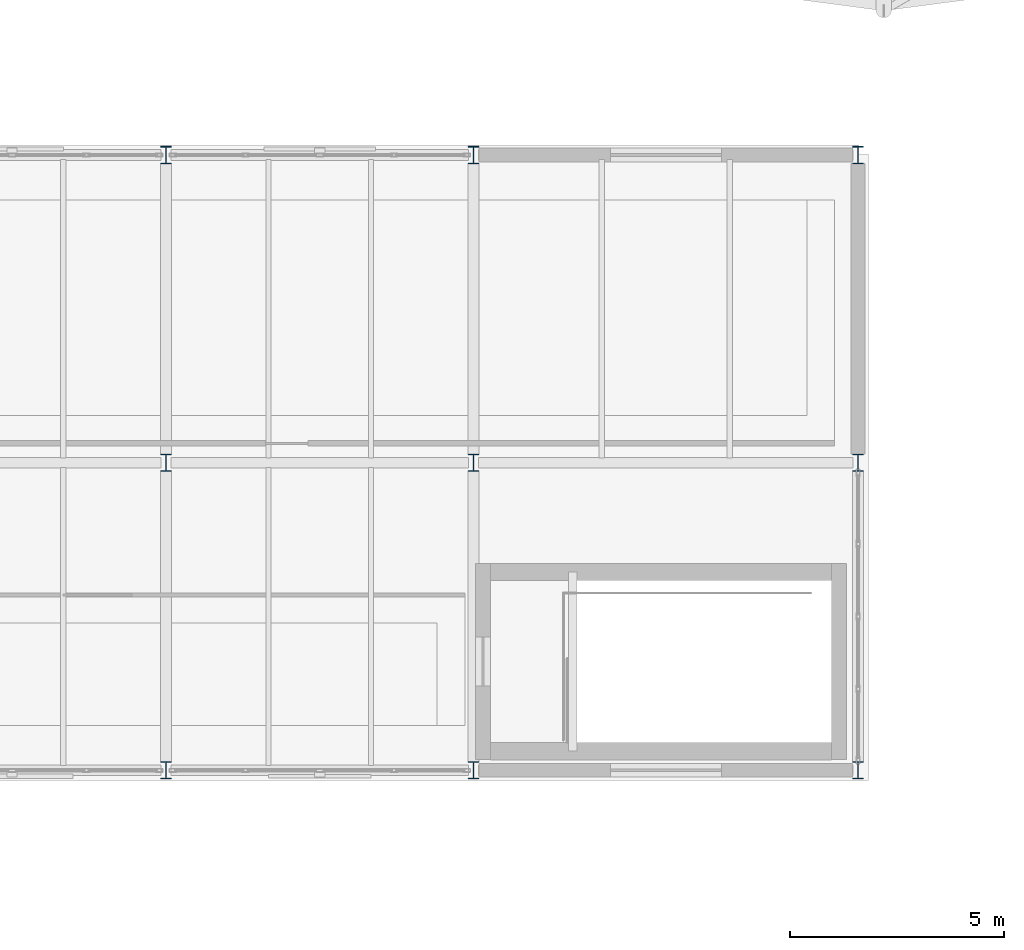
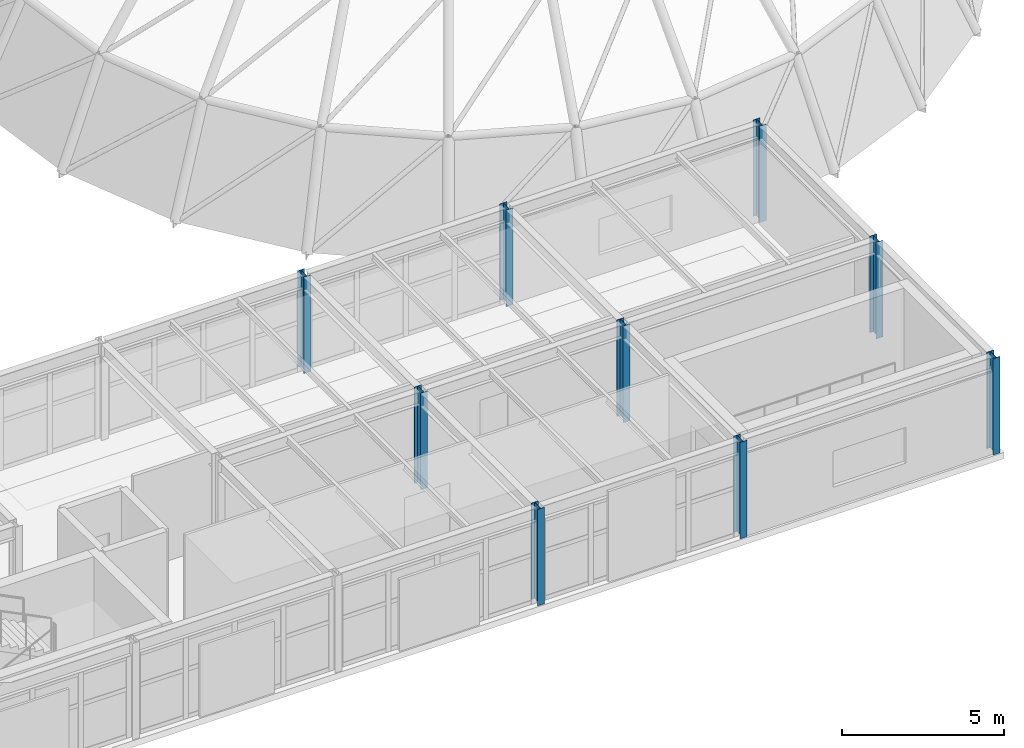
# One storey, part 4 of 48: 9 columns.
"""IFC4 building model written with IfcOpenShell, lengths in metres."""

from ifc_helpers import new_model, si_unit, direction, frame, origin, origin_2d, place, context, subcontext, project, spatial, i_section, extrude, material, material_profile, profile_set, type_object, element, save


model = new_model("IFC4")

# Units and contexts
model_context = context("Model", 3, precision=1e-05, world=origin(), true_north=direction((0.0, 1.0)))
body_context = subcontext(model_context, "Body", "Model", "MODEL_VIEW")
ifc_project = project(units=[si_unit("LENGTHUNIT", "METRE"), si_unit("AREAUNIT", "SQUARE_METRE"), si_unit("VOLUMEUNIT", "CUBIC_METRE"), si_unit("PLANEANGLEUNIT", "RADIAN"), si_unit("MASSUNIT", "GRAM", prefix="KILO")], contexts=[model_context])

# Site, building, storey
site_placement = place(None, origin())
site = spatial("IfcSite", under=ifc_project, at=site_placement, CompositionType="ELEMENT")
building_placement = place(site_placement, origin())
building = spatial("IfcBuilding", under=site, at=building_placement, Name="Kandorven Conservatory and Botanical Research Centre", CompositionType="ELEMENT")
storey_placement = place(building_placement, frame((0.0, 0.0, 13.199951171875)))
storey = spatial("IfcBuildingStorey", under=building, at=storey_placement, Name="L03", CompositionType="ELEMENT", Elevation=13.199951171875)

# Columns
ifc_material = material(Name="Steel S355 (IS 2062 E350)", Category="steel")
ifc_material_profile = material_profile(ifc_material, i_section(OverallWidth=0.25, OverallDepth=0.39990234375, WebThickness=0.010498046875, FlangeThickness=0.0126953125, at=origin_2d()))
ifc_profile_set = profile_set([ifc_material_profile], Name="Steel S355 (IS 2062 E350)")
column_type = type_object("IfcColumnType", Name="Col_SC-02", PredefinedType="COLUMN", material=ifc_profile_set)
for number, where, z_axis, x_axis, name in (
    (1, (70.800048828125, 13.199951171875, 0.0), (0.0, 0.0, 1.0), (1.0, 0.0, 0.0), "Column SC-02 VIS L03 (5,1)"),
    (2, (70.800048828125, 20.39990234375, 0.0), (0.0, 0.0, 1.0), (1.0, 0.0, 0.0), "Column SC-02 VIS L03 (5,2)"),
    (3, (70.800048828125, 27.60009765625, 0.0), (0.0, 0.0, 1.0), (1.0, 0.0, 0.0), "Column SC-02 VIS L03 (5,3)"),
    (4, (78.0, 13.199951171875, 0.0), (0.0, 0.0, 1.0), (1.0, 0.0, 0.0), "Column SC-02 VIS L03 (6,1)"),
    (5, (78.0, 20.39990234375, 0.0), (0.0, 0.0, 1.0), (1.0, 0.0, 0.0), "Column SC-02 VIS L03 (6,2)"),
    (6, (78.0, 27.60009765625, 0.0), (0.0, 0.0, 1.0), (1.0, 0.0, 0.0), "Column SC-02 VIS L03 (6,3)"),
    (7, (87.0, 13.199951171875, 0.0), (0.0, 0.0, 1.0), (1.0, 0.0, 0.0), "Column SC-02 VIS L03 (7,1)"),
    (8, (87.0, 20.39990234375, 0.0), (0.0, 0.0, 1.0), (1.0, 0.0, 0.0), "Column SC-02 VIS L03 (7,2)"),
    (9, (87.0, 27.60009765625, 0.0), (0.0, 0.0, 1.0), (1.0, 0.0, 0.0), "Column SC-02 VIS L03 (7,3)"),
):
    element("IfcColumn", number, at=place(storey_placement, frame(where, z_axis=z_axis, x_axis=x_axis)), inside=storey, type_object=column_type, Name=name, PredefinedType="COLUMN", context=body_context, shape_type="SweptSolid", body=[
        extrude(i_section(OverallWidth=0.25, OverallDepth=0.39990234375, WebThickness=0.010498046875, FlangeThickness=0.0126953125, at=origin_2d()), origin(), (0.0, 0.0, 1.0), 3.625),
    ])

save(model, "model.ifc")
